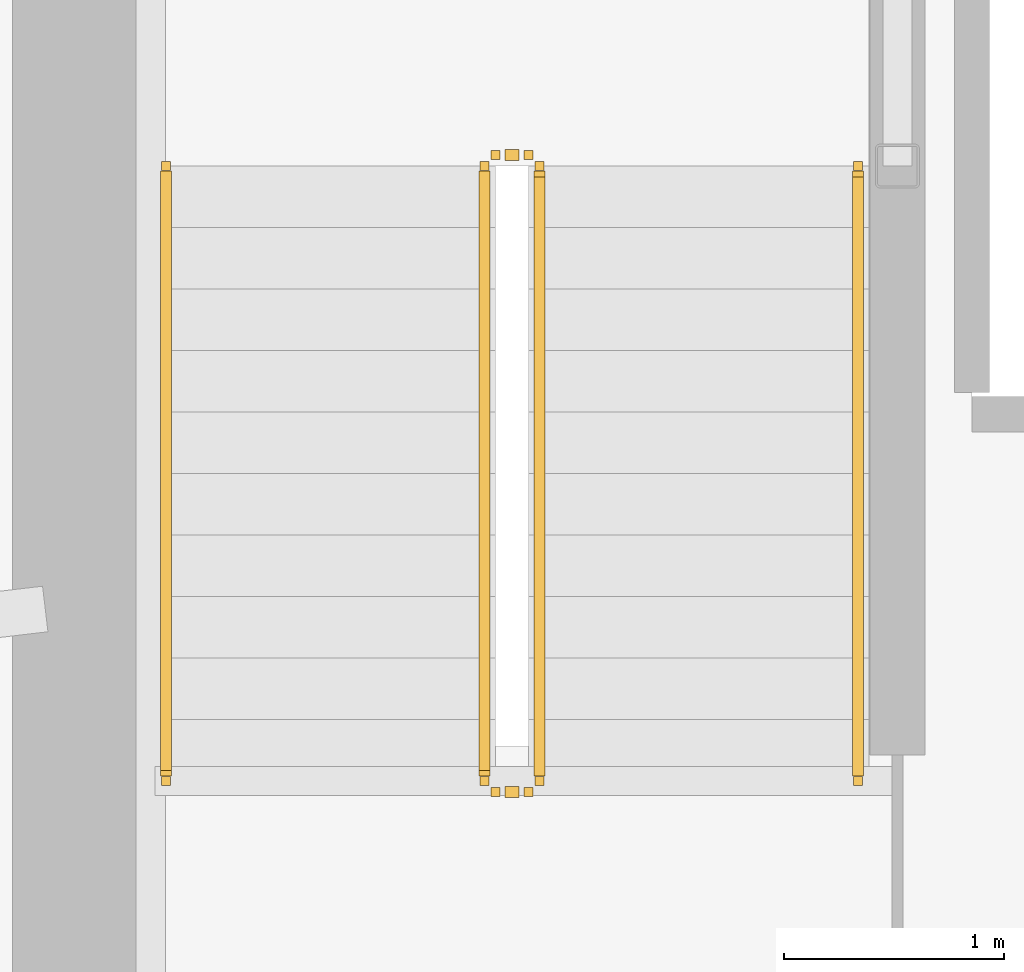
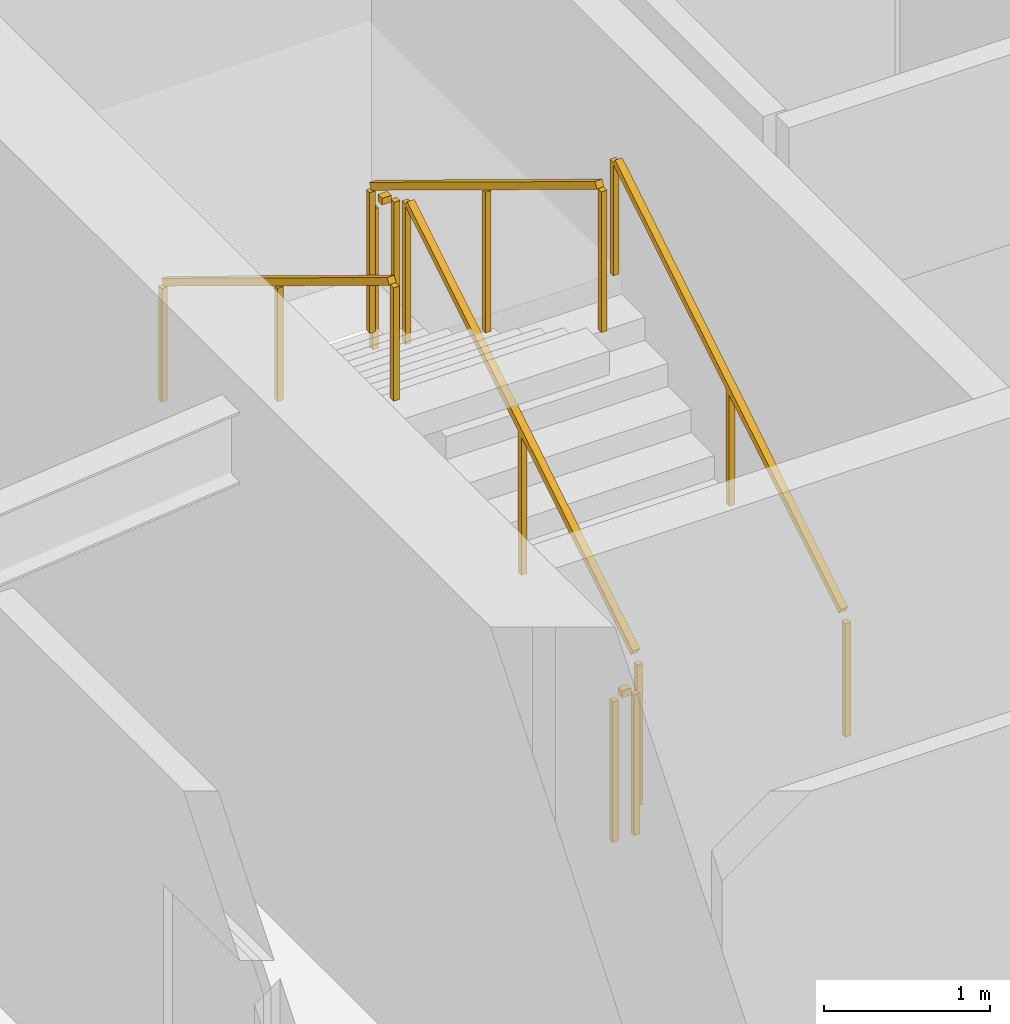
# One storey, part 18 of 21: 6 railings.
"""IFC4 building model written with IfcOpenShell, lengths in metres."""

from ifc_helpers import new_model, si_unit, direction, frame, origin, origin_2d, place, context, subcontext, project, spatial, rectangle, extrude, material, type_object, element, save


model = new_model("IFC4")

# Units and contexts
model_context = context("Model", 3, precision=1e-05, world=origin(), true_north=direction((0.0, 1.0)))
body_context = subcontext(model_context, "Body", "Model", "MODEL_VIEW")
ifc_project = project(units=[si_unit("LENGTHUNIT", "METRE"), si_unit("AREAUNIT", "SQUARE_METRE"), si_unit("VOLUMEUNIT", "CUBIC_METRE"), si_unit("PLANEANGLEUNIT", "RADIAN"), si_unit("MASSUNIT", "GRAM", prefix="KILO")], contexts=[model_context])

# Site, building, storey
site_placement = place(None, origin())
site = spatial("IfcSite", under=ifc_project, at=site_placement, CompositionType="ELEMENT")
building_placement = place(site_placement, origin())
building = spatial("IfcBuilding", under=site, at=building_placement, Name="Kazma Halo Residences", CompositionType="ELEMENT")
storey_placement = place(building_placement, frame((0.0, 0.0, 176.550048828125)))
storey = spatial("IfcBuildingStorey", under=building, at=storey_placement, Name="L44", CompositionType="ELEMENT", Elevation=176.550048828125)

# Railings
ifc_material_1 = material(Name="Painted Steel S355", Category="steel")
railing_type_1 = type_object("IfcRailingType", Name="RLG-STAIR-GRD-1100", PredefinedType="GUARDRAIL", material=ifc_material_1)
railing_1_placement = place(storey_placement, frame((39.550048828125, 39.949951171875, 0.17041015625)))
element("IfcRailing", 1, at=railing_1_placement, inside=storey, type_object=railing_type_1, Name="L44 ST-01 stair guard 1", PredefinedType="GUARDRAIL", context=body_context, shape_type="SweptSolid", body=[
    extrude(rectangle(XDim=0.050048828125, YDim=0.050048828125, at=origin_2d()), frame((0.0, 0.036376953125, 1.09716796875), z_axis=(0.0, 0.854169791009, 0.51999420009), x_axis=(-1.0, 0.0, 0.0)), (0.0, 0.0, 1.0), 3.193115234375),
    extrude(rectangle(XDim=0.0400390625, YDim=0.0400390625, at=origin_2d()), origin(), (0.0, 0.0, 1.0), 1.0380859375),
    extrude(rectangle(XDim=0.0400390625, YDim=0.0400390625, at=origin_2d()), frame((0.0, 1.39990234375, 0.852294921875)), (0.0, 0.0, 1.0), 1.0380859375),
    extrude(rectangle(XDim=0.0400390625, YDim=0.0400390625, at=origin_2d()), frame((0.0, 2.800048828125, 1.70458984375)), (0.0, 0.0, 1.0), 1.0380859375),
])
railing_2_placement = place(storey_placement, frame((39.5, 42.800048828125, 1.875)))
element("IfcRailing", 2, at=railing_2_placement, inside=storey, type_object=railing_type_1, Name="L44 ST-01 stair guard 2", PredefinedType="GUARDRAIL", context=body_context, shape_type="SweptSolid", body=[
    extrude(rectangle(XDim=0.050048828125, YDim=0.050048828125, at=origin_2d()), frame((-0.04248046875, 0.0, 1.0751953125), z_axis=(-1.0, 0.0, 0.0), x_axis=(0.0, -1.0, 0.0)), (0.0, 0.0, 1.0), 0.06494140625),
    extrude(rectangle(XDim=0.0400390625, YDim=0.0400390625, at=origin_2d()), origin(), (0.0, 0.0, 1.0), 1.0380859375),
    extrude(rectangle(XDim=0.0400390625, YDim=0.0400390625, at=origin_2d()), frame((-0.14990234375, 0.0, 0.0)), (0.0, 0.0, 1.0), 1.0380859375),
])
railing_3_placement = place(storey_placement, frame((39.300048828125, 42.75, 2.04541015625)))
element("IfcRailing", 3, at=railing_3_placement, inside=storey, type_object=railing_type_1, Name="L44 ST-01 stair guard 3", PredefinedType="GUARDRAIL", context=body_context, shape_type="SweptSolid", body=[
    extrude(rectangle(XDim=0.050048828125, YDim=0.050048828125, at=origin_2d()), frame((0.0, -0.036376953125, 1.09716796875), z_axis=(0.0, -0.854169791009, 0.51999420009), x_axis=(1.0, 0.0, 0.0)), (0.0, 0.0, 1.0), 3.193115234375),
    extrude(rectangle(XDim=0.0400390625, YDim=0.0400390625, at=origin_2d()), origin(), (0.0, 0.0, 1.0), 1.0380859375),
    extrude(rectangle(XDim=0.0400390625, YDim=0.0400390625, at=origin_2d()), frame((0.0, -1.39990234375, 0.852294921875)), (0.0, 0.0, 1.0), 1.0380859375),
    extrude(rectangle(XDim=0.0400390625, YDim=0.0400390625, at=origin_2d()), frame((0.0, -2.800048828125, 1.70458984375)), (0.0, 0.0, 1.0), 1.0380859375),
])
railing_4_placement = place(storey_placement, frame((39.5, 39.89990234375, 0.0)))
element("IfcRailing", 4, at=railing_4_placement, inside=storey, type_object=railing_type_1, Name="L44 ST-01 stair guard 4", PredefinedType="GUARDRAIL", context=body_context, shape_type="SweptSolid", body=[
    extrude(rectangle(XDim=0.050048828125, YDim=0.050048828125, at=origin_2d()), frame((-0.04248046875, 0.0, 1.0751953125), z_axis=(-1.0, 0.0, 0.0), x_axis=(0.0, -1.0, 0.0)), (0.0, 0.0, 1.0), 0.06494140625),
    extrude(rectangle(XDim=0.0400390625, YDim=0.0400390625, at=origin_2d()), origin(), (0.0, 0.0, 1.0), 1.0380859375),
    extrude(rectangle(XDim=0.0400390625, YDim=0.0400390625, at=origin_2d()), frame((-0.14990234375, 0.0, 0.0)), (0.0, 0.0, 1.0), 1.0380859375),
])
ifc_material_2 = material(Name="Brushed Stainless Steel", Category="steel")
railing_type_2 = type_object("IfcRailingType", Name="RLG-STAIR-HND-900", PredefinedType="HANDRAIL", material=ifc_material_2)
railing_5_placement = place(storey_placement, frame((41.0, 39.949951171875, 0.17041015625)))
element("IfcRailing", 5, at=railing_5_placement, inside=storey, type_object=railing_type_2, Name="L44 ST-01 stair handrail 1", PredefinedType="HANDRAIL", context=body_context, shape_type="SweptSolid", body=[
    extrude(rectangle(XDim=0.050048828125, YDim=0.050048828125, at=origin_2d()), frame((0.0, 0.036376953125, 0.89697265625), z_axis=(0.0, 0.854169791009, 0.51999420009), x_axis=(-1.0, 0.0, 0.0)), (0.0, 0.0, 1.0), 3.193115234375),
    extrude(rectangle(XDim=0.0400390625, YDim=0.0400390625, at=origin_2d()), origin(), (0.0, 0.0, 1.0), 0.837890625),
    extrude(rectangle(XDim=0.0400390625, YDim=0.0400390625, at=origin_2d()), frame((0.0, 1.39990234375, 0.852294921875)), (0.0, 0.0, 1.0), 0.837890625),
    extrude(rectangle(XDim=0.0400390625, YDim=0.0400390625, at=origin_2d()), frame((0.0, 2.800048828125, 1.70458984375)), (0.0, 0.0, 1.0), 0.837890625),
])
railing_6_placement = place(storey_placement, frame((37.85009765625, 42.75, 2.04541015625)))
element("IfcRailing", 6, at=railing_6_placement, inside=storey, type_object=railing_type_2, Name="L44 ST-01 stair handrail 2", PredefinedType="HANDRAIL", context=body_context, shape_type="SweptSolid", body=[
    extrude(rectangle(XDim=0.050048828125, YDim=0.050048828125, at=origin_2d()), frame((0.0, -0.036376953125, 0.89697265625), z_axis=(0.0, -0.854169791009, 0.51999420009), x_axis=(1.0, 0.0, 0.0)), (0.0, 0.0, 1.0), 3.193115234375),
    extrude(rectangle(XDim=0.0400390625, YDim=0.0400390625, at=origin_2d()), origin(), (0.0, 0.0, 1.0), 0.837890625),
    extrude(rectangle(XDim=0.0400390625, YDim=0.0400390625, at=origin_2d()), frame((0.0, -1.39990234375, 0.852294921875)), (0.0, 0.0, 1.0), 0.837890625),
    extrude(rectangle(XDim=0.0400390625, YDim=0.0400390625, at=origin_2d()), frame((0.0, -2.800048828125, 1.70458984375)), (0.0, 0.0, 1.0), 0.837890625),
])

save(model, "model.ifc")
